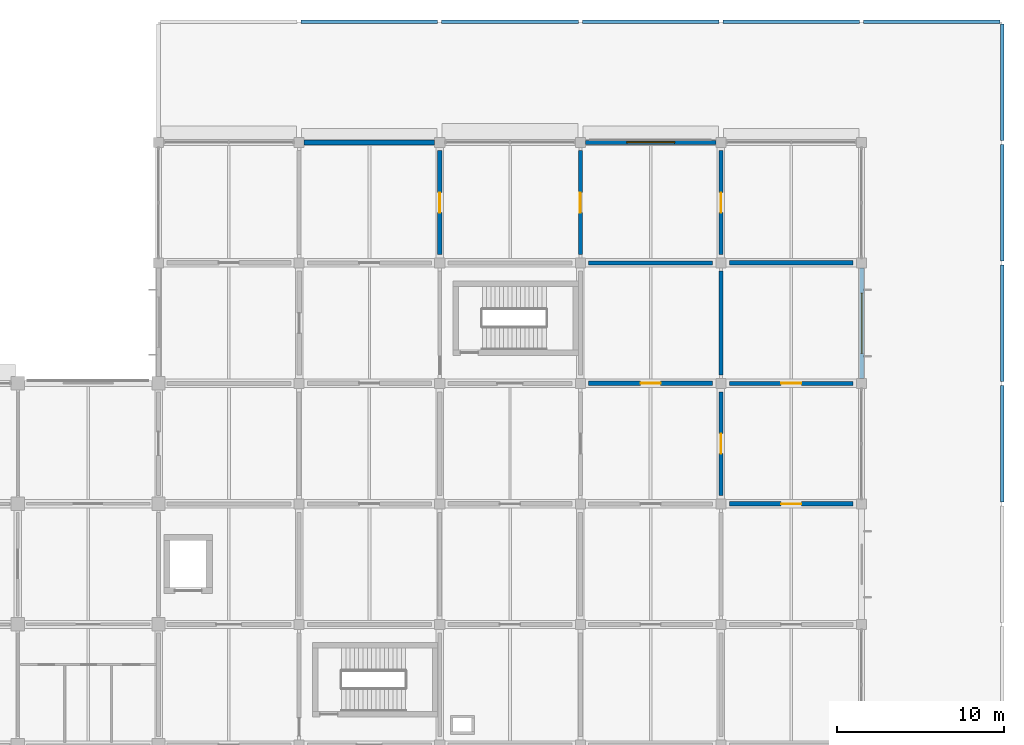
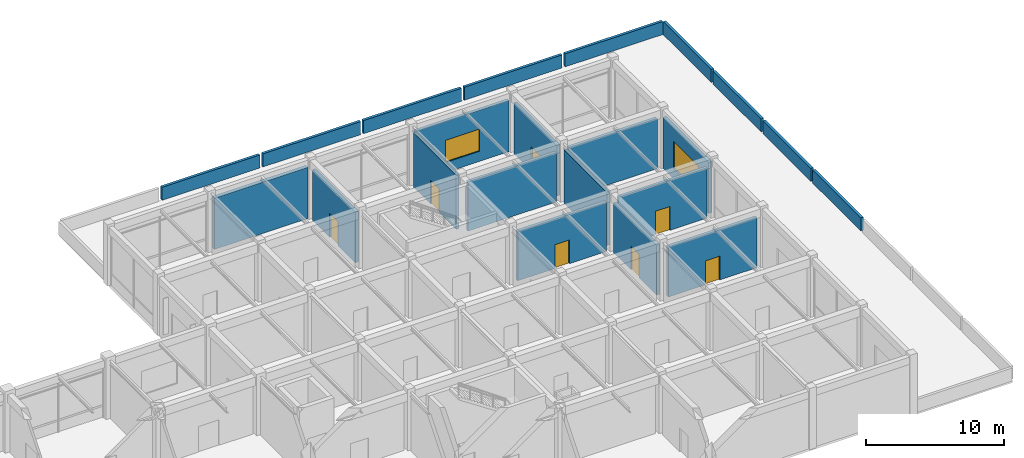
# One storey, part 30 of 38: 22 walls, 7 doors, 2 windows, 9 openings.
"""IFC4 building model written with IfcOpenShell, lengths in metres."""

from ifc_helpers import new_model, si_unit, derived_unit, direction, frame, frame_2d, origin, place, context, subcontext, project, spatial, rectangle, extrude, material, layer, layer_set, type_object, element, fill, save


model = new_model("IFC4")

# Units and contexts
model_context = context("Model", 3, precision=1e-05, world=origin(), true_north=direction((0.0, 1.0)))
body_context = subcontext(model_context, "Body", "Model", "MODEL_VIEW")
ifc_project = project(units=[si_unit("LENGTHUNIT", "METRE"), si_unit("AREAUNIT", "SQUARE_METRE"), si_unit("VOLUMEUNIT", "CUBIC_METRE"), si_unit("PLANEANGLEUNIT", "RADIAN"), si_unit("MASSUNIT", "GRAM", prefix="KILO"), derived_unit("THERMALTRANSMITTANCEUNIT", [(si_unit("MASSUNIT", "GRAM", prefix="KILO"), 1), (si_unit("TIMEUNIT", "SECOND"), -3), (si_unit("THERMODYNAMICTEMPERATUREUNIT", "KELVIN"), -1)])], contexts=[model_context])

# Site, building, storey
site_placement = place(None, origin())
site = spatial("IfcSite", under=ifc_project, at=site_placement, CompositionType="ELEMENT")
building_placement = place(site_placement, origin())
building = spatial("IfcBuilding", under=site, at=building_placement, Name="Veldstrom Oceanarium and Marine Research Institute", CompositionType="ELEMENT")
storey_placement = place(building_placement, frame((0.0, 0.0, 11.39990234375)))
storey = spatial("IfcBuildingStorey", under=building, at=storey_placement, Name="L02", CompositionType="ELEMENT", Elevation=11.39990234375)

# Wall
ifc_material_1 = material(Name="Masonry Cavity Wall", Category="masonry")
ifc_layer_1 = layer(ifc_material_1, 0.31005859375)
ifc_layer_set_1 = layer_set([ifc_layer_1], Name="ARC-WAL-EW1")
wall_type_1 = type_object("IfcWallType", Name="ARC-WAL-EW1", PredefinedType="SOLIDWALL", material=ifc_layer_set_1)
wall_1_placement = place(storey_placement, frame((126.300048828125, 86.39990234375, 0.0), z_axis=(0.0, 0.0, 1.0), x_axis=(1.0, 0.0, 0.0)))
element("IfcWall", 1, at=wall_1_placement, inside=storey, type_object=wall_type_1, Name="Exterior Facade Wall EW1 L02-141", PredefinedType="SOLIDWALL", context=body_context, shape_type="SweptSolid", body=[
    extrude(rectangle(XDim=7.800048828125, YDim=0.31005859375, at=frame_2d((3.89990234375, 0.0))), origin(), (0.0, 0.0, 1.0), 4.52001953125),
])

# Wall, opening, window
ifc_material_2 = material(Name="Masonry Cavity Wall", Category="masonry")
ifc_layer_2 = layer(ifc_material_2, 0.27001953125)
ifc_layer_set_2 = layer_set([ifc_layer_2], Name="ARC-WAL-EW3")
wall_type_2 = type_object("IfcWallType", Name="ARC-WAL-EW3", PredefinedType="SOLIDWALL", material=ifc_layer_set_2)
wall_2_placement = place(storey_placement, frame((159.60009765625, 72.300048828125, 0.0), z_axis=(0.0, 0.0, 1.0), x_axis=(0.0, 1.0, 0.0)))
wall_2 = element("IfcWall", 2, at=wall_2_placement, inside=storey, type_object=wall_type_2, Name="Exterior Facade Wall EW3 L02-148", PredefinedType="SOLIDWALL", context=body_context, shape_type="SweptSolid", body=[
    extrude(rectangle(XDim=6.599853515625, YDim=0.27001953125, at=frame_2d((3.2998046875, 0.0))), origin(), (0.0, 0.0, 1.0), 4.52001953125),
])
opening_1_placement = place(wall_2_placement, frame((1.5, 0.0, 0.89990234375)))
opening_1 = element("IfcOpeningElement", 3, at=opening_1_placement, cuts=wall_2, Name="Opening W11", PredefinedType="OPENING", context=body_context, shape_type="SweptSolid", body=[
    extrude(rectangle(XDim=3.60009765625, YDim=2.39990234375, at=frame_2d((1.800048828125, 1.199951171875))), frame((0.0, 0.14501953125, 0.0), z_axis=(0.0, -1.0, 0.0), x_axis=(1.0, 0.0, 0.0)), (0.0, 0.0, 1.0), 0.2900390625),
])
ifc_material_3 = material(Name="Double Glazed Low-E IGU", Category="glass")
window_type_1 = type_object("IfcWindowType", Name="ARC-WIN-W11", PartitioningType="SINGLE_PANEL", PredefinedType="WINDOW", material=ifc_material_3)
window_1_placement = place(opening_1_placement, origin())
window_1 = element("IfcWindow", 4, at=window_1_placement, inside=storey, type_object=window_type_1, Name="Facade Window W11 L02-0108", OverallHeight=2.39990234375, OverallWidth=3.60009765625, PartitioningType="SINGLE_PANEL", PredefinedType="WINDOW", context=body_context, shape_type="SweptSolid", body=[
    extrude(rectangle(XDim=3.60009765625, YDim=2.39990234375, at=frame_2d((1.800048828125, 1.199951171875))), frame((0.0, 0.030029296875, 0.0), z_axis=(0.0, -1.0, 0.0), x_axis=(1.0, 0.0, 0.0)), (0.0, 0.0, 1.0), 0.06005859375),
])
fill(opening_1, window_1)

ifc_material_4 = material(Name="Masonry Cavity Wall", Category="masonry")
ifc_layer_3 = layer(ifc_material_4, 0.25)
ifc_layer_set_3 = layer_set([ifc_layer_3], Name="ARC-WAL-EW5")
wall_type_3 = type_object("IfcWallType", Name="ARC-WAL-EW5", PredefinedType="SOLIDWALL", material=ifc_layer_set_3)
wall_3_placement = place(storey_placement, frame((143.10009765625, 86.39990234375, 0.0), z_axis=(0.0, 0.0, 1.0), x_axis=(1.0, 0.0, 0.0)))
wall_3 = element("IfcWall", 5, at=wall_3_placement, inside=storey, type_object=wall_type_3, Name="Exterior Facade Wall EW5 L02-144", PredefinedType="SOLIDWALL", context=body_context, shape_type="SweptSolid", body=[
    extrude(rectangle(XDim=7.7998046875, YDim=0.25, at=frame_2d((3.89990234375, 0.0))), origin(), (0.0, 0.0, 1.0), 4.52001953125),
])
opening_2_placement = place(wall_3_placement, frame((2.47509765625, 0.0, 0.89990234375)))
opening_2 = element("IfcOpeningElement", 6, at=opening_2_placement, cuts=wall_3, Name="Opening W19", PredefinedType="OPENING", context=body_context, shape_type="SweptSolid", body=[
    extrude(rectangle(XDim=2.85009765625, YDim=1.949951171875, at=frame_2d((1.425048828125, 0.97509765625))), frame((0.0, 0.135009765625, 0.0), z_axis=(0.0, -1.0, 0.0), x_axis=(1.0, 0.0, 0.0)), (0.0, 0.0, 1.0), 0.27001953125),
])
ifc_material_5 = material(Name="Double Glazed Low-E IGU", Category="glass")
window_type_2 = type_object("IfcWindowType", Name="ARC-WIN-W19", PartitioningType="SINGLE_PANEL", PredefinedType="WINDOW", material=ifc_material_5)
window_2_placement = place(opening_2_placement, origin())
window_2 = element("IfcWindow", 7, at=window_2_placement, inside=storey, type_object=window_type_2, Name="Facade Window W19 L02-0105", OverallHeight=1.949951171875, OverallWidth=2.85009765625, PartitioningType="SINGLE_PANEL", PredefinedType="WINDOW", context=body_context, shape_type="SweptSolid", body=[
    extrude(rectangle(XDim=2.85009765625, YDim=1.949951171875, at=frame_2d((1.425048828125, 0.97509765625))), frame((0.0, 0.030029296875, 0.0), z_axis=(0.0, -1.0, 0.0), x_axis=(1.0, 0.0, 0.0)), (0.0, 0.0, 1.0), 0.06005859375),
])
fill(opening_2, window_2)

# Walls
ifc_material_6 = material(Name="Masonry Cavity Wall", Category="masonry")
ifc_layer_4 = layer(ifc_material_6, 0.219970703125)
ifc_layer_set_4 = layer_set([ifc_layer_4], Name="ARC-WAL-PR1")
wall_type_4 = type_object("IfcWallType", Name="ARC-WAL-PR1", PredefinedType="PARAPET", material=ifc_layer_set_4)
for number, where, z_axis, x_axis, name in (
    (8, (126.1201171875, 93.60009765625, 0.0), (0.0, 0.0, 1.0), (1.0, 0.0, 0.0), "Roof Parapet Wall L01-034"),
    (9, (134.52001953125, 93.60009765625, 0.0), (0.0, 0.0, 1.0), (1.0, 0.0, 0.0), "Roof Parapet Wall L01-035"),
):
    element("IfcWall", number, at=place(storey_placement, frame(where, z_axis=z_axis, x_axis=x_axis)), inside=storey, type_object=wall_type_4, Name=name, PredefinedType="PARAPET", context=body_context, shape_type="SweptSolid", body=[
        extrude(rectangle(XDim=8.159912109375, YDim=0.219970703125, at=frame_2d((4.080078125, 0.0))), origin(), (0.0, 0.0, 1.0), 1.150146484375),
    ])
wall_4_placement = place(storey_placement, frame((142.919921875, 93.60009765625, 0.0), z_axis=(0.0, 0.0, 1.0), x_axis=(1.0, 0.0, 0.0)))
element("IfcWall", 10, at=wall_4_placement, inside=storey, type_object=wall_type_4, Name="Roof Parapet Wall L01-036", PredefinedType="PARAPET", context=body_context, shape_type="SweptSolid", body=[
    extrude(rectangle(XDim=8.16015625, YDim=0.219970703125, at=frame_2d((4.080078125, 0.0))), origin(), (0.0, 0.0, 1.0), 1.150146484375),
])
wall_5_placement = place(storey_placement, frame((151.320068359375, 93.60009765625, 0.0), z_axis=(0.0, 0.0, 1.0), x_axis=(1.0, 0.0, 0.0)))
element("IfcWall", 11, at=wall_5_placement, inside=storey, type_object=wall_type_4, Name="Roof Parapet Wall L01-037", PredefinedType="PARAPET", context=body_context, shape_type="SweptSolid", body=[
    extrude(rectangle(XDim=8.159912109375, YDim=0.219970703125, at=frame_2d((4.080078125, 0.0))), origin(), (0.0, 0.0, 1.0), 1.150146484375),
])
for number, where, z_axis, x_axis, name in (
    (12, (168.0, 64.919921875, 0.0), (0.0, 0.0, 1.0), (0.0, 1.0, 0.0), "Roof Parapet Wall L01-042"),
    (13, (168.0, 72.1201171875, 0.0), (0.0, 0.0, 1.0), (0.0, 1.0, 0.0), "Roof Parapet Wall L01-043"),
    (14, (168.0, 79.320068359375, 0.0), (0.0, 0.0, 1.0), (0.0, 1.0, 0.0), "Roof Parapet Wall L01-044"),
):
    element("IfcWall", number, at=place(storey_placement, frame(where, z_axis=z_axis, x_axis=x_axis)), inside=storey, type_object=wall_type_4, Name=name, PredefinedType="PARAPET", context=body_context, shape_type="SweptSolid", body=[
        extrude(rectangle(XDim=6.9599609375, YDim=0.219970703125, at=frame_2d((3.47998046875, 0.0))), origin(), (0.0, 0.0, 1.0), 1.150146484375),
    ])
wall_6_placement = place(storey_placement, frame((159.719970703125, 93.60009765625, 0.0), z_axis=(0.0, 0.0, 1.0), x_axis=(1.0, 0.0, 0.0)))
element("IfcWall", 15, at=wall_6_placement, inside=storey, type_object=wall_type_4, Name="Roof Parapet Wall L01-045", PredefinedType="PARAPET", context=body_context, shape_type="SweptSolid", body=[
    extrude(rectangle(XDim=8.159912109375, YDim=0.219970703125, at=frame_2d((4.080078125, 0.0))), origin(), (0.0, 0.0, 1.0), 1.150146484375),
])
wall_7_placement = place(storey_placement, frame((168.0, 86.52001953125, 0.0), z_axis=(0.0, 0.0, 1.0), x_axis=(0.0, 1.0, 0.0)))
element("IfcWall", 16, at=wall_7_placement, inside=storey, type_object=wall_type_4, Name="Roof Parapet Wall L01-046", PredefinedType="PARAPET", context=body_context, shape_type="SweptSolid", body=[
    extrude(rectangle(XDim=6.9599609375, YDim=0.219970703125, at=frame_2d((3.47998046875, 0.0))), origin(), (0.0, 0.0, 1.0), 1.150146484375),
])

# Wall, opening, door
ifc_material_7 = material(Name="Masonry Fire Compartment Wall", Category="masonry")
ifc_layer_5 = layer(ifc_material_7, 0.22998046875)
ifc_layer_set_5 = layer_set([ifc_layer_5], Name="ARC-WAL-PT1")
wall_type_5 = type_object("IfcWallType", Name="ARC-WAL-PT1", PredefinedType="PARTITIONING", material=ifc_layer_set_5)
wall_8_placement = place(storey_placement, frame((142.800048828125, 79.699951171875, 0.0), z_axis=(0.0, 0.0, 1.0), x_axis=(0.0, 1.0, 0.0)))
wall_8 = element("IfcWall", 17, at=wall_8_placement, inside=storey, type_object=wall_type_5, Name="Interior Partition PT1 L02-1232", PredefinedType="PARTITIONING", context=body_context, shape_type="SweptSolid", body=[
    extrude(rectangle(XDim=6.199951171875, YDim=0.22998046875, at=frame_2d((3.10009765625, 0.0))), origin(), (0.0, 0.0, 1.0), 4.77001953125),
])
opening_3_placement = place(wall_8_placement, frame((2.5, 0.0, 0.0)))
opening_3 = element("IfcOpeningElement", 18, at=opening_3_placement, cuts=wall_8, Name="Opening D-L02-719", PredefinedType="OPENING", context=body_context, shape_type="SweptSolid", body=[
    extrude(rectangle(XDim=1.199951171875, YDim=2.10009765625, at=frame_2d((0.60009765625, 1.050048828125))), frame((0.0, 0.125, 0.0), z_axis=(0.0, -1.0, 0.0), x_axis=(1.0, 0.0, 0.0)), (0.0, 0.0, 1.0), 0.25),
])
ifc_material_8 = material(Name="Quarantine Biosecure Door", Category="steel")
door_type = type_object("IfcDoorType", Name="ARC-DOR-ID06", OperationType="SINGLE_SWING_RIGHT", PredefinedType="DOOR", material=ifc_material_8)
door_1_placement = place(opening_3_placement, origin())
door_1 = element("IfcDoor", 19, at=door_1_placement, inside=storey, type_object=door_type, Name="Interior Door D-L02-719", OperationType="SINGLE_SWING_RIGHT", OverallHeight=2.10009765625, OverallWidth=1.199951171875, PredefinedType="DOOR", context=body_context, shape_type="SweptSolid", body=[
    extrude(rectangle(XDim=1.199951171875, YDim=2.10009765625, at=frame_2d((0.60009765625, 1.050048828125))), frame((0.0, 0.02490234375, 0.0), z_axis=(0.0, -1.0, 0.0), x_axis=(1.0, 0.0, 0.0)), (0.0, 0.0, 1.0), 0.050048828125),
])
fill(opening_3, door_1)

# Walls
wall_9_placement = place(storey_placement, frame((151.199951171875, 72.5, 0.0), z_axis=(0.0, 0.0, 1.0), x_axis=(0.0, 1.0, 0.0)))
element("IfcWall", 20, at=wall_9_placement, inside=storey, type_object=wall_type_5, Name="Interior Partition PT1 L02-1241", PredefinedType="PARTITIONING", context=body_context, shape_type="SweptSolid", body=[
    extrude(rectangle(XDim=6.199951171875, YDim=0.22998046875, at=frame_2d((3.10009765625, 0.0))), origin(), (0.0, 0.0, 1.0), 4.695068359375),
])
wall_10_placement = place(storey_placement, frame((143.300048828125, 79.199951171875, 0.0), z_axis=(0.0, 0.0, 1.0), x_axis=(1.0, 0.0, 0.0)))
element("IfcWall", 21, at=wall_10_placement, inside=storey, type_object=wall_type_5, Name="Interior Partition PT1 L02-1242", PredefinedType="PARTITIONING", context=body_context, shape_type="SweptSolid", body=[
    extrude(rectangle(XDim=7.39990234375, YDim=0.22998046875, at=frame_2d((3.699951171875, 0.0))), origin(), (0.0, 0.0, 1.0), 4.34521484375),
])

# Wall, opening, door
wall_11_placement = place(storey_placement, frame((151.699951171875, 72.0, 0.0), z_axis=(0.0, 0.0, 1.0), x_axis=(1.0, 0.0, 0.0)))
wall_11 = element("IfcWall", 22, at=wall_11_placement, inside=storey, type_object=wall_type_5, Name="Interior Partition PT1 L02-1247", PredefinedType="PARTITIONING", context=body_context, shape_type="SweptSolid", body=[
    extrude(rectangle(XDim=7.400146484375, YDim=0.22998046875, at=frame_2d((3.7001953125, 0.0))), origin(), (0.0, 0.0, 1.0), 4.420166015625),
])
opening_4_placement = place(wall_11_placement, frame((3.10009765625, 0.0, 0.0)))
opening_4 = element("IfcOpeningElement", 23, at=opening_4_placement, cuts=wall_11, Name="Opening D-L02-728", PredefinedType="OPENING", context=body_context, shape_type="SweptSolid", body=[
    extrude(rectangle(XDim=1.199951171875, YDim=2.10009765625, at=frame_2d((0.60009765625, 1.050048828125))), frame((0.0, 0.125, 0.0), z_axis=(0.0, -1.0, 0.0), x_axis=(1.0, 0.0, 0.0)), (0.0, 0.0, 1.0), 0.25),
])
door_2_placement = place(opening_4_placement, frame((1.199951171875, 0.0, 0.0), z_axis=(0.0, 0.0, 1.0), x_axis=(-1.0, 0.0, 0.0)))
door_2 = element("IfcDoor", 24, at=door_2_placement, inside=storey, type_object=door_type, Name="Interior Door D-L02-728", OperationType="SINGLE_SWING_LEFT", OverallHeight=2.10009765625, OverallWidth=1.199951171875, PredefinedType="DOOR", context=body_context, shape_type="SweptSolid", body=[
    extrude(rectangle(XDim=1.199951171875, YDim=2.10009765625, at=frame_2d((0.60009765625, 1.050048828125))), frame((0.0, 0.02490234375, 0.0), z_axis=(0.0, -1.0, 0.0), x_axis=(1.0, 0.0, 0.0)), (0.0, 0.0, 1.0), 0.050048828125),
])
fill(opening_4, door_2)

ifc_material_9 = material(Name="Plant Acoustic Masonry Wall", Category="masonry")
ifc_layer_6 = layer(ifc_material_9, 0.260009765625)
ifc_layer_set_6 = layer_set([ifc_layer_6], Name="ARC-WAL-PT8")
wall_type_6 = type_object("IfcWallType", Name="ARC-WAL-PT8", PredefinedType="PARTITIONING", material=ifc_layer_set_6)
wall_12_placement = place(storey_placement, frame((134.39990234375, 79.699951171875, 0.0), z_axis=(0.0, 0.0, 1.0), x_axis=(0.0, 1.0, 0.0)))
wall_12 = element("IfcWall", 25, at=wall_12_placement, inside=storey, type_object=wall_type_6, Name="Interior Partition PT8 L02-1221", PredefinedType="PARTITIONING", context=body_context, shape_type="SweptSolid", body=[
    extrude(rectangle(XDim=6.199951171875, YDim=0.260009765625, at=frame_2d((3.10009765625, 0.0))), origin(), (0.0, 0.0, 1.0), 4.47021484375),
])
opening_5_placement = place(wall_12_placement, frame((2.5, 0.0, 0.0)))
opening_5 = element("IfcOpeningElement", 26, at=opening_5_placement, cuts=wall_12, Name="Opening D-L02-713", PredefinedType="OPENING", context=body_context, shape_type="SweptSolid", body=[
    extrude(rectangle(XDim=1.199951171875, YDim=2.10009765625, at=frame_2d((0.60009765625, 1.050048828125))), frame((0.0, 0.139892578125, 0.0), z_axis=(0.0, -1.0, 0.0), x_axis=(1.0, 0.0, 0.0)), (0.0, 0.0, 1.0), 0.280029296875),
])
door_3_placement = place(opening_5_placement, frame((1.199951171875, 0.0, 0.0), z_axis=(0.0, 0.0, 1.0), x_axis=(-1.0, 0.0, 0.0)))
door_3 = element("IfcDoor", 27, at=door_3_placement, inside=storey, type_object=door_type, Name="Interior Door D-L02-713", OperationType="SINGLE_SWING_RIGHT", OverallHeight=2.10009765625, OverallWidth=1.199951171875, PredefinedType="DOOR", context=body_context, shape_type="SweptSolid", body=[
    extrude(rectangle(XDim=1.199951171875, YDim=2.10009765625, at=frame_2d((0.60009765625, 1.050048828125))), frame((0.0, 0.02490234375, 0.0), z_axis=(0.0, -1.0, 0.0), x_axis=(1.0, 0.0, 0.0)), (0.0, 0.0, 1.0), 0.050048828125),
])
fill(opening_5, door_3)

wall_13_placement = place(storey_placement, frame((151.199951171875, 65.300048828125, 0.0), z_axis=(0.0, 0.0, 1.0), x_axis=(0.0, 1.0, 0.0)))
wall_13 = element("IfcWall", 28, at=wall_13_placement, inside=storey, type_object=wall_type_6, Name="Interior Partition PT8 L02-1239", PredefinedType="PARTITIONING", context=body_context, shape_type="SweptSolid", body=[
    extrude(rectangle(XDim=6.199951171875, YDim=0.260009765625, at=frame_2d((3.10009765625, 0.0))), origin(), (0.0, 0.0, 1.0), 4.39501953125),
])
opening_6_placement = place(wall_13_placement, frame((2.5, 0.0, 0.0)))
opening_6 = element("IfcOpeningElement", 29, at=opening_6_placement, cuts=wall_13, Name="Opening D-L02-723", PredefinedType="OPENING", context=body_context, shape_type="SweptSolid", body=[
    extrude(rectangle(XDim=1.199951171875, YDim=2.10009765625, at=frame_2d((0.60009765625, 1.050048828125))), frame((0.0, 0.139892578125, 0.0), z_axis=(0.0, -1.0, 0.0), x_axis=(1.0, 0.0, 0.0)), (0.0, 0.0, 1.0), 0.280029296875),
])
door_4_placement = place(opening_6_placement, frame((1.199951171875, 0.0, 0.0), z_axis=(0.0, 0.0, 1.0), x_axis=(-1.0, 0.0, 0.0)))
door_4 = element("IfcDoor", 30, at=door_4_placement, inside=storey, type_object=door_type, Name="Interior Door D-L02-723", OperationType="SINGLE_SWING_RIGHT", OverallHeight=2.10009765625, OverallWidth=1.199951171875, PredefinedType="DOOR", context=body_context, shape_type="SweptSolid", body=[
    extrude(rectangle(XDim=1.199951171875, YDim=2.10009765625, at=frame_2d((0.60009765625, 1.050048828125))), frame((0.0, 0.02490234375, 0.0), z_axis=(0.0, -1.0, 0.0), x_axis=(1.0, 0.0, 0.0)), (0.0, 0.0, 1.0), 0.050048828125),
])
fill(opening_6, door_4)

wall_14_placement = place(storey_placement, frame((143.300048828125, 72.0, 0.0), z_axis=(0.0, 0.0, 1.0), x_axis=(1.0, 0.0, 0.0)))
wall_14 = element("IfcWall", 31, at=wall_14_placement, inside=storey, type_object=wall_type_6, Name="Interior Partition PT8 L02-1240", PredefinedType="PARTITIONING", context=body_context, shape_type="SweptSolid", body=[
    extrude(rectangle(XDim=7.39990234375, YDim=0.260009765625, at=frame_2d((3.699951171875, 0.0))), origin(), (0.0, 0.0, 1.0), 4.34521484375),
])
opening_7_placement = place(wall_14_placement, frame((3.10009765625, 0.0, 0.0)))
opening_7 = element("IfcOpeningElement", 32, at=opening_7_placement, cuts=wall_14, Name="Opening D-L02-724", PredefinedType="OPENING", context=body_context, shape_type="SweptSolid", body=[
    extrude(rectangle(XDim=1.199951171875, YDim=2.10009765625, at=frame_2d((0.60009765625, 1.050048828125))), frame((0.0, 0.139892578125, 0.0), z_axis=(0.0, -1.0, 0.0), x_axis=(1.0, 0.0, 0.0)), (0.0, 0.0, 1.0), 0.280029296875),
])
door_5_placement = place(opening_7_placement, origin())
door_5 = element("IfcDoor", 33, at=door_5_placement, inside=storey, type_object=door_type, Name="Interior Door D-L02-724", OperationType="SINGLE_SWING_LEFT", OverallHeight=2.10009765625, OverallWidth=1.199951171875, PredefinedType="DOOR", context=body_context, shape_type="SweptSolid", body=[
    extrude(rectangle(XDim=1.199951171875, YDim=2.10009765625, at=frame_2d((0.60009765625, 1.050048828125))), frame((0.0, 0.02490234375, 0.0), z_axis=(0.0, -1.0, 0.0), x_axis=(1.0, 0.0, 0.0)), (0.0, 0.0, 1.0), 0.050048828125),
])
fill(opening_7, door_5)

wall_15_placement = place(storey_placement, frame((151.199951171875, 79.699951171875, 0.0), z_axis=(0.0, 0.0, 1.0), x_axis=(0.0, 1.0, 0.0)))
wall_15 = element("IfcWall", 34, at=wall_15_placement, inside=storey, type_object=wall_type_6, Name="Interior Partition PT8 L02-1243", PredefinedType="PARTITIONING", context=body_context, shape_type="SweptSolid", body=[
    extrude(rectangle(XDim=6.199951171875, YDim=0.260009765625, at=frame_2d((3.10009765625, 0.0))), origin(), (0.0, 0.0, 1.0), 4.47021484375),
])
opening_8_placement = place(wall_15_placement, frame((2.5, 0.0, 0.0)))
opening_8 = element("IfcOpeningElement", 35, at=opening_8_placement, cuts=wall_15, Name="Opening D-L02-725", PredefinedType="OPENING", context=body_context, shape_type="SweptSolid", body=[
    extrude(rectangle(XDim=1.199951171875, YDim=2.10009765625, at=frame_2d((0.60009765625, 1.050048828125))), frame((0.0, 0.139892578125, 0.0), z_axis=(0.0, -1.0, 0.0), x_axis=(1.0, 0.0, 0.0)), (0.0, 0.0, 1.0), 0.280029296875),
])
door_6_placement = place(opening_8_placement, frame((1.199951171875, 0.0, 0.0), z_axis=(0.0, 0.0, 1.0), x_axis=(-1.0, 0.0, 0.0)))
door_6 = element("IfcDoor", 36, at=door_6_placement, inside=storey, type_object=door_type, Name="Interior Door D-L02-725", OperationType="SINGLE_SWING_RIGHT", OverallHeight=2.10009765625, OverallWidth=1.199951171875, PredefinedType="DOOR", context=body_context, shape_type="SweptSolid", body=[
    extrude(rectangle(XDim=1.199951171875, YDim=2.10009765625, at=frame_2d((0.60009765625, 1.050048828125))), frame((0.0, 0.02490234375, 0.0), z_axis=(0.0, -1.0, 0.0), x_axis=(1.0, 0.0, 0.0)), (0.0, 0.0, 1.0), 0.050048828125),
])
fill(opening_8, door_6)

wall_16_placement = place(storey_placement, frame((151.699951171875, 64.800048828125, 0.0), z_axis=(0.0, 0.0, 1.0), x_axis=(1.0, 0.0, 0.0)))
wall_16 = element("IfcWall", 37, at=wall_16_placement, inside=storey, type_object=wall_type_6, Name="Interior Partition PT8 L02-1246", PredefinedType="PARTITIONING", context=body_context, shape_type="SweptSolid", body=[
    extrude(rectangle(XDim=7.400146484375, YDim=0.260009765625, at=frame_2d((3.7001953125, 0.0))), origin(), (0.0, 0.0, 1.0), 4.420166015625),
])
opening_9_placement = place(wall_16_placement, frame((3.10009765625, 0.0, 0.0)))
opening_9 = element("IfcOpeningElement", 38, at=opening_9_placement, cuts=wall_16, Name="Opening D-L02-727", PredefinedType="OPENING", context=body_context, shape_type="SweptSolid", body=[
    extrude(rectangle(XDim=1.199951171875, YDim=2.10009765625, at=frame_2d((0.60009765625, 1.050048828125))), frame((0.0, 0.139892578125, 0.0), z_axis=(0.0, -1.0, 0.0), x_axis=(1.0, 0.0, 0.0)), (0.0, 0.0, 1.0), 0.280029296875),
])
door_7_placement = place(opening_9_placement, origin())
door_7 = element("IfcDoor", 39, at=door_7_placement, inside=storey, type_object=door_type, Name="Interior Door D-L02-727", OperationType="SINGLE_SWING_LEFT", OverallHeight=2.10009765625, OverallWidth=1.199951171875, PredefinedType="DOOR", context=body_context, shape_type="SweptSolid", body=[
    extrude(rectangle(XDim=1.199951171875, YDim=2.10009765625, at=frame_2d((0.60009765625, 1.050048828125))), frame((0.0, 0.02490234375, 0.0), z_axis=(0.0, -1.0, 0.0), x_axis=(1.0, 0.0, 0.0)), (0.0, 0.0, 1.0), 0.050048828125),
])
fill(opening_9, door_7)

# Wall
wall_17_placement = place(storey_placement, frame((151.699951171875, 79.199951171875, 0.0), z_axis=(0.0, 0.0, 1.0), x_axis=(1.0, 0.0, 0.0)))
element("IfcWall", 40, at=wall_17_placement, inside=storey, type_object=wall_type_6, Name="Interior Partition PT8 L02-1248", PredefinedType="PARTITIONING", context=body_context, shape_type="SweptSolid", body=[
    extrude(rectangle(XDim=7.400146484375, YDim=0.260009765625, at=frame_2d((3.7001953125, 0.0))), origin(), (0.0, 0.0, 1.0), 4.420166015625),
])

save(model, "model.ifc")
